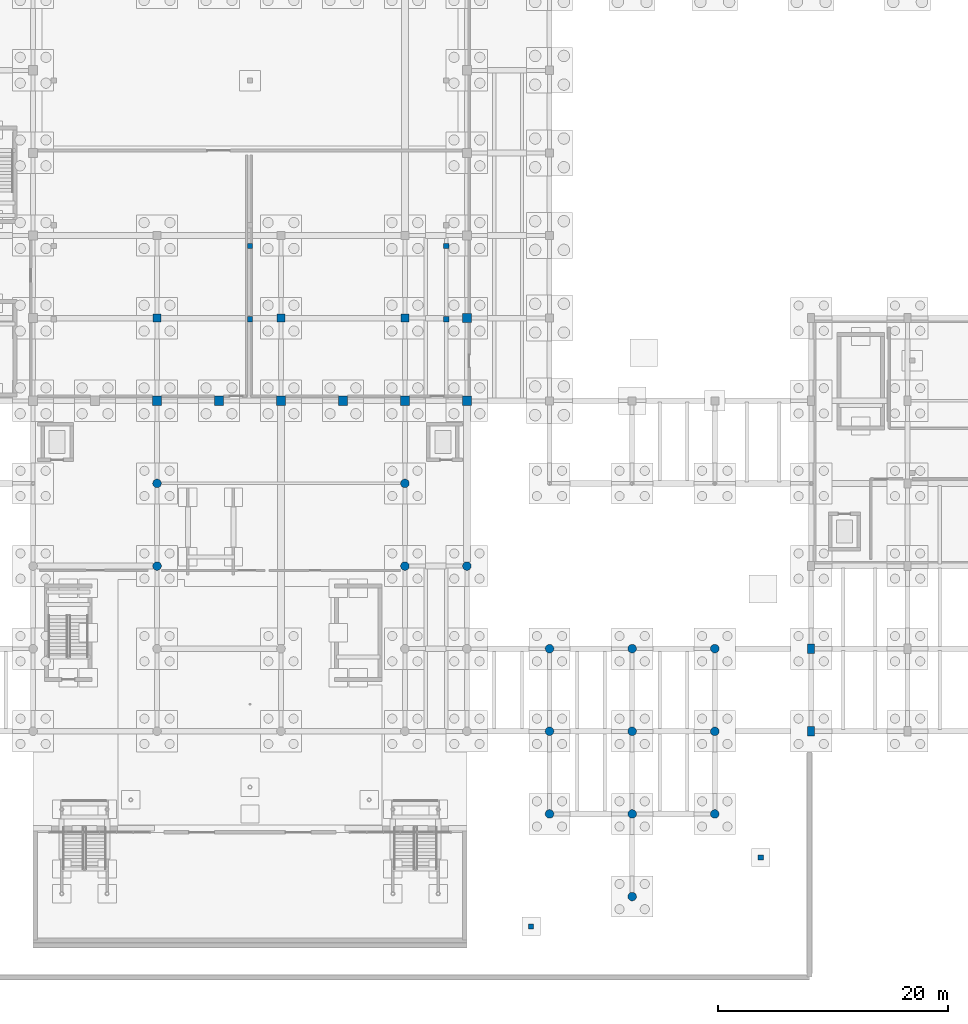
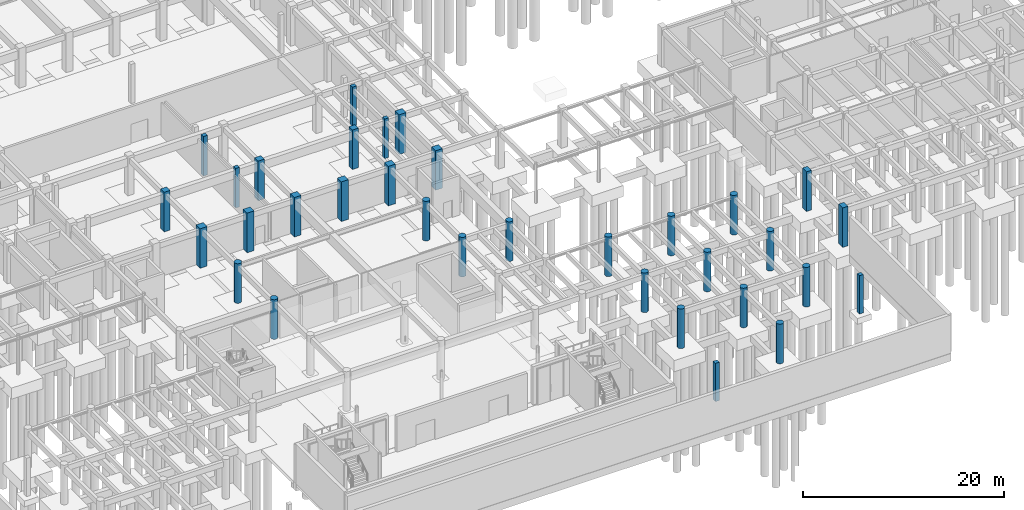
# One storey, part 15 of 46: 33 columns.
"""IFC4 building model written with IfcOpenShell, lengths in metres."""

from ifc_helpers import new_model, si_unit, direction, frame, origin, origin_2d, place, context, subcontext, project, spatial, rectangle, circle, extrude, material, material_profile, profile_set, type_object, element, save


model = new_model("IFC4")

# Units and contexts
model_context = context("Model", 3, precision=1e-05, world=origin(), true_north=direction((0.0, 1.0)))
body_context = subcontext(model_context, "Body", "Model", "MODEL_VIEW")
ifc_project = project(units=[si_unit("LENGTHUNIT", "METRE"), si_unit("AREAUNIT", "SQUARE_METRE"), si_unit("VOLUMEUNIT", "CUBIC_METRE"), si_unit("PLANEANGLEUNIT", "RADIAN"), si_unit("MASSUNIT", "GRAM", prefix="KILO")], contexts=[model_context])

# Site, building, storey
site_placement = place(None, origin())
site = spatial("IfcSite", under=ifc_project, at=site_placement, CompositionType="ELEMENT")
building_placement = place(site_placement, origin())
building = spatial("IfcBuilding", under=site, at=building_placement, Name="Tazoul Stagehouse", CompositionType="ELEMENT")
storey_placement = place(building_placement, frame((0.0, 0.0, -4.800048828125)))
storey = spatial("IfcBuildingStorey", under=building, at=storey_placement, Name="B1", CompositionType="ELEMENT", Elevation=-4.800048828125)

# Columns
ifc_material = material(Name="Concrete C40/50", Category="concrete")
ifc_material_profile_1 = material_profile(ifc_material, circle(Radius=0.375, at=origin_2d()), Name="RC D750")
ifc_profile_set_1 = profile_set([ifc_material_profile_1], Name="Concrete C40/50")
column_type_1 = type_object("IfcColumnType", Name="RC Circular Column D750", PredefinedType="COLUMN", material=ifc_profile_set_1)
for number, where, z_axis, x_axis, name in (
    (1, (68.39990234375, 37.39990234375, 0.0), (0.0, 0.0, 1.0), (1.0, 0.0, 0.0), "B1 Column C-08 at 10/F"),
    (2, (68.39990234375, 44.60009765625, 0.0), (0.0, 0.0, 1.0), (1.0, 0.0, 0.0), "B1 Column C-08 at 10/G"),
    (3, (90.0, 37.39990234375, 0.0), (0.0, 0.0, 1.0), (1.0, 0.0, 0.0), "B1 Column C-08 at 14/F"),
    (4, (90.0, 44.60009765625, 0.0), (0.0, 0.0, 1.0), (1.0, 0.0, 0.0), "B1 Column C-08 at 14/G"),
):
    element("IfcColumn", number, at=place(storey_placement, frame(where, z_axis=z_axis, x_axis=x_axis)), inside=storey, type_object=column_type_1, Name=name, PredefinedType="COLUMN", context=body_context, shape_type="SweptSolid", body=[
        extrude(circle(Radius=0.375, at=origin_2d()), origin(), (0.0, 0.0, 1.0), 4.800048828125),
    ])
ifc_material_profile_2 = material_profile(ifc_material, circle(Radius=0.375, at=origin_2d()), Name="RC D750")
ifc_profile_set_2 = profile_set([ifc_material_profile_2], Name="Concrete C40/50")
column_type_2 = type_object("IfcColumnType", Name="RC Circular Column D750 (Exterior)", PredefinedType="COLUMN", material=ifc_profile_set_2)
for number, where, z_axis, x_axis, name in (
    (5, (95.39990234375, 37.39990234375, 0.0), (0.0, 0.0, 1.0), (1.0, 0.0, 0.0), "B1 Column C-08E at 15/F"),
    (6, (102.60009765625, 15.800048828125, 0.0), (0.0, 0.0, 1.0), (1.0, 0.0, 0.0), "B1 Column C-08E at 16/C"),
    (7, (102.60009765625, 23.0, 0.0), (0.0, 0.0, 1.0), (1.0, 0.0, 0.0), "B1 Column C-08E at 16/D"),
    (8, (102.60009765625, 30.199951171875, 0.0), (0.0, 0.0, 1.0), (1.0, 0.0, 0.0), "B1 Column C-08E at 16/E"),
    (9, (109.800048828125, 8.60009765625, 0.0), (0.0, 0.0, 1.0), (1.0, 0.0, 0.0), "B1 Column C-08E at 17/B"),
    (10, (109.800048828125, 15.800048828125, 0.0), (0.0, 0.0, 1.0), (1.0, 0.0, 0.0), "B1 Column C-08E at 17/C"),
    (11, (109.800048828125, 23.0, 0.0), (0.0, 0.0, 1.0), (1.0, 0.0, 0.0), "B1 Column C-08E at 17/D"),
    (12, (109.800048828125, 30.199951171875, 0.0), (0.0, 0.0, 1.0), (1.0, 0.0, 0.0), "B1 Column C-08E at 17/E"),
    (13, (117.0, 15.800048828125, 0.0), (0.0, 0.0, 1.0), (1.0, 0.0, 0.0), "B1 Column C-08E at 18/C"),
    (14, (117.0, 23.0, 0.0), (0.0, 0.0, 1.0), (1.0, 0.0, 0.0), "B1 Column C-08E at 18/D"),
    (15, (117.0, 30.199951171875, 0.0), (0.0, 0.0, 1.0), (1.0, 0.0, 0.0), "B1 Column C-08E at 18/E"),
):
    element("IfcColumn", number, at=place(storey_placement, frame(where, z_axis=z_axis, x_axis=x_axis)), inside=storey, type_object=column_type_2, Name=name, PredefinedType="COLUMN", context=body_context, shape_type="SweptSolid", body=[
        extrude(circle(Radius=0.375, at=origin_2d()), origin(), (0.0, 0.0, 1.0), 4.800048828125),
    ])
ifc_material_profile_3 = material_profile(ifc_material, rectangle(XDim=0.449951171875, YDim=0.449951171875, at=origin_2d()), Name="RC 450x450")
ifc_profile_set_3 = profile_set([ifc_material_profile_3], Name="Concrete C40/50")
column_type_3 = type_object("IfcColumnType", Name="RC Column 450x450", PredefinedType="COLUMN", material=ifc_profile_set_3)
for number, where, z_axis, x_axis, name in (
    (16, (76.5, 65.300048828125, 0.0), (0.0, 0.0, 1.0), (1.0, 0.0, 0.0), "B1 Bowl Support Column C-01 (V1-DRESS-FRT-2)"),
    (17, (93.60009765625, 65.300048828125, 0.0), (0.0, 0.0, 1.0), (1.0, 0.0, 0.0), "B1 Bowl Support Column C-01 (V1-DRESS-FRT-3)"),
    (18, (76.5, 58.89990234375, 0.0), (0.0, 0.0, 1.0), (1.0, 0.0, 0.0), "B1 Bowl Support Column C-01 (V1-DRESS-RER-2)"),
    (19, (93.60009765625, 58.89990234375, 0.0), (0.0, 0.0, 1.0), (1.0, 0.0, 0.0), "B1 Bowl Support Column C-01 (V1-DRESS-RER-3)"),
):
    element("IfcColumn", number, at=place(storey_placement, frame(where, z_axis=z_axis, x_axis=x_axis)), inside=storey, type_object=column_type_3, Name=name, PredefinedType="COLUMN", context=body_context, shape_type="SweptSolid", body=[
        extrude(rectangle(XDim=0.449951171875, YDim=0.449951171875, at=origin_2d()), origin(), (0.0, 0.0, 1.0), 4.800048828125),
    ])
for number, where, z_axis, x_axis, name in (
    (20, (101.0, 6.0, 0.0), (0.0, 0.0, 1.0), (1.0, 0.0, 0.0), "B1 Plaza Plinth Support Column C-01 (4)"),
    (21, (121.0, 12.0, 0.0), (0.0, 0.0, 1.0), (1.0, 0.0, 0.0), "B1 Plaza Plinth Support Column C-01 (5)"),
):
    element("IfcColumn", number, at=place(storey_placement, frame(where, z_axis=z_axis, x_axis=x_axis)), inside=storey, type_object=column_type_3, Name=name, PredefinedType="COLUMN", context=body_context, shape_type="SweptSolid", body=[
        extrude(rectangle(XDim=0.449951171875, YDim=0.449951171875, at=origin_2d()), origin(), (0.0, 0.0, 1.0), 4.650146484375),
    ])
ifc_material_profile_4 = material_profile(ifc_material, rectangle(XDim=0.60009765625, YDim=0.800048828125, at=origin_2d()), Name="RC 600x800")
ifc_profile_set_4 = profile_set([ifc_material_profile_4], Name="Concrete C40/50")
column_type_4 = type_object("IfcColumnType", Name="RC Column 600x800 (Exterior)", PredefinedType="COLUMN", material=ifc_profile_set_4)
for number, where, z_axis, x_axis, name in (
    (22, (125.39990234375, 23.0, 0.0), (0.0, 0.0, 1.0), (1.0, 0.0, 0.0), "B1 Column C-06E at 19/D"),
    (23, (125.39990234375, 30.199951171875, 0.0), (0.0, 0.0, 1.0), (1.0, 0.0, 0.0), "B1 Column C-06E at 19/E"),
):
    element("IfcColumn", number, at=place(storey_placement, frame(where, z_axis=z_axis, x_axis=x_axis)), inside=storey, type_object=column_type_4, Name=name, PredefinedType="COLUMN", context=body_context, shape_type="SweptSolid", body=[
        extrude(rectangle(XDim=0.60009765625, YDim=0.800048828125, at=origin_2d()), origin(), (0.0, 0.0, 1.0), 4.800048828125),
    ])
ifc_material_profile_5 = material_profile(ifc_material, rectangle(XDim=0.699951171875, YDim=0.699951171875, at=origin_2d()), Name="RC 700x700")
ifc_profile_set_5 = profile_set([ifc_material_profile_5], Name="Concrete C40/50")
column_type_5 = type_object("IfcColumnType", Name="RC Column 700x700", PredefinedType="COLUMN", material=ifc_profile_set_5)
for number, where, z_axis, x_axis, name in (
    (24, (68.39990234375, 59.0, 0.0), (0.0, 0.0, 1.0), (1.0, 0.0, 0.0), "B1 Column C-04 at 10/J"),
    (25, (79.199951171875, 59.0, 0.0), (0.0, 0.0, 1.0), (1.0, 0.0, 0.0), "B1 Column C-04 at 12/J"),
    (26, (90.0, 59.0, 0.0), (0.0, 0.0, 1.0), (1.0, 0.0, 0.0), "B1 Column C-04 at 14/J"),
):
    element("IfcColumn", number, at=place(storey_placement, frame(where, z_axis=z_axis, x_axis=x_axis)), inside=storey, type_object=column_type_5, Name=name, PredefinedType="COLUMN", context=body_context, shape_type="SweptSolid", body=[
        extrude(rectangle(XDim=0.699951171875, YDim=0.699951171875, at=origin_2d()), origin(), (0.0, 0.0, 1.0), 4.800048828125),
    ])
ifc_material_profile_6 = material_profile(ifc_material, rectangle(XDim=0.800048828125, YDim=0.800048828125, at=origin_2d()), Name="RC 800x800")
ifc_profile_set_6 = profile_set([ifc_material_profile_6], Name="Concrete C40/50")
column_type_6 = type_object("IfcColumnType", Name="RC Column 800x800", PredefinedType="COLUMN", material=ifc_profile_set_6)
for number, where, z_axis, x_axis, name in (
    (27, (68.39990234375, 51.800048828125, 0.0), (0.0, 0.0, 1.0), (1.0, 0.0, 0.0), "B1 Column C-05 at 10/H"),
    (28, (73.800048828125, 51.800048828125, 0.0), (0.0, 0.0, 1.0), (1.0, 0.0, 0.0), "B1 Column C-05 at 11/H"),
    (29, (79.199951171875, 51.800048828125, 0.0), (0.0, 0.0, 1.0), (1.0, 0.0, 0.0), "B1 Column C-05 at 12/H"),
    (30, (84.60009765625, 51.800048828125, 0.0), (0.0, 0.0, 1.0), (1.0, 0.0, 0.0), "B1 Column C-05 at 13/H"),
    (31, (90.0, 51.800048828125, 0.0), (0.0, 0.0, 1.0), (1.0, 0.0, 0.0), "B1 Column C-05 at 14/H"),
    (32, (95.39990234375, 59.0, 0.0), (0.0, 0.0, 1.0), (1.0, 0.0, 0.0), "B1 Column C-05 at 15/J"),
):
    element("IfcColumn", number, at=place(storey_placement, frame(where, z_axis=z_axis, x_axis=x_axis)), inside=storey, type_object=column_type_6, Name=name, PredefinedType="COLUMN", context=body_context, shape_type="SweptSolid", body=[
        extrude(rectangle(XDim=0.800048828125, YDim=0.800048828125, at=origin_2d()), origin(), (0.0, 0.0, 1.0), 4.800048828125),
    ])
ifc_material_profile_7 = material_profile(ifc_material, rectangle(XDim=0.800048828125, YDim=0.800048828125, at=origin_2d()), Name="RC 800x800")
ifc_profile_set_7 = profile_set([ifc_material_profile_7], Name="Concrete C40/50")
column_type_7 = type_object("IfcColumnType", Name="RC Column 800x800 (Exterior)", PredefinedType="COLUMN", material=ifc_profile_set_7)
column_placement = place(storey_placement, frame((95.39990234375, 51.800048828125, 0.0), z_axis=(0.0, 0.0, 1.0), x_axis=(1.0, 0.0, 0.0)))
element("IfcColumn", 33, at=column_placement, inside=storey, type_object=column_type_7, Name="B1 Column C-05E at 15/H", PredefinedType="COLUMN", context=body_context, shape_type="SweptSolid", body=[
    extrude(rectangle(XDim=0.800048828125, YDim=0.800048828125, at=origin_2d()), origin(), (0.0, 0.0, 1.0), 4.800048828125),
])

save(model, "model.ifc")
